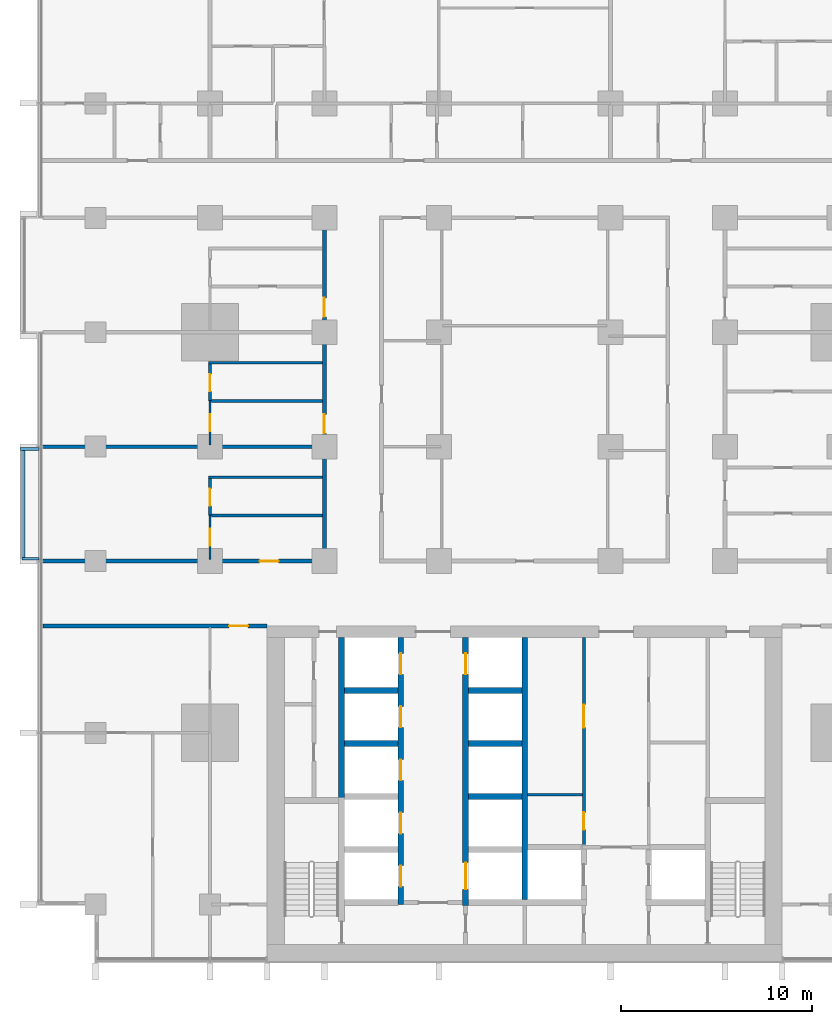
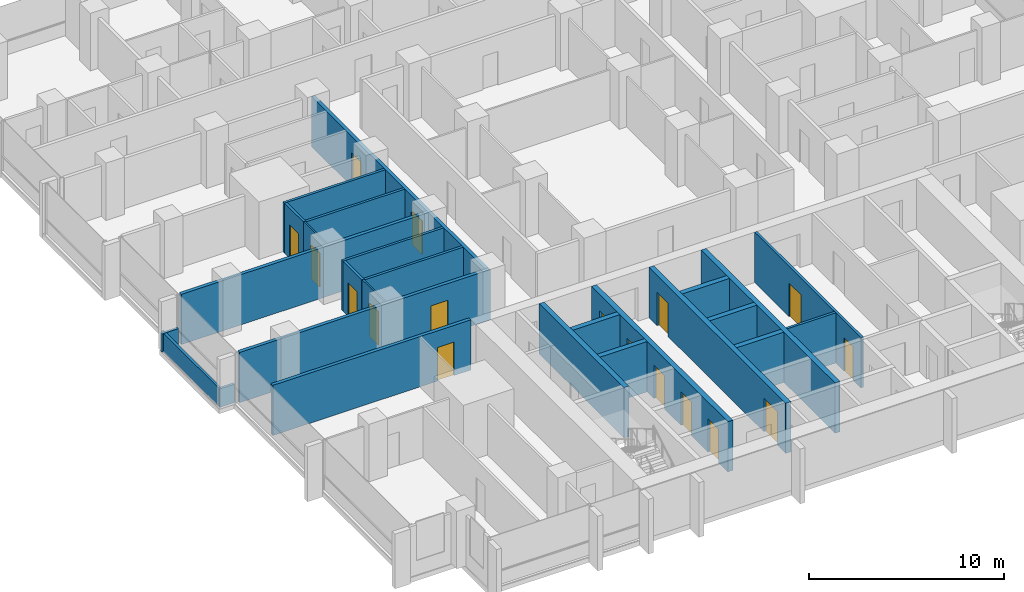
# One storey, part 8 of 18: 26 walls, 17 doors, 17 openings.
"""IFC4 building model written with IfcOpenShell, lengths in metres."""

from ifc_helpers import new_model, si_unit, direction, frame, frame_2d, origin, place, context, subcontext, project, spatial, rectangle, extrude, material, layer, layer_set, type_object, element, fill, save


model = new_model("IFC4")

# Units and contexts
model_context = context("Model", 3, precision=1e-05, world=origin(), true_north=direction((0.0, 1.0)))
body_context = subcontext(model_context, "Body", "Model", "MODEL_VIEW")
ifc_project = project(units=[si_unit("LENGTHUNIT", "METRE"), si_unit("AREAUNIT", "SQUARE_METRE"), si_unit("VOLUMEUNIT", "CUBIC_METRE"), si_unit("PLANEANGLEUNIT", "RADIAN"), si_unit("MASSUNIT", "GRAM", prefix="KILO")], contexts=[model_context])

# Site, building, storey
site_placement = place(None, origin())
site = spatial("IfcSite", under=ifc_project, at=site_placement, CompositionType="ELEMENT")
building_placement = place(site_placement, origin())
building = spatial("IfcBuilding", under=site, at=building_placement, Name="Finial Court Residences", CompositionType="ELEMENT")
storey_placement = place(building_placement, frame((0.0, 0.0, 72.10009765625)))
storey = spatial("IfcBuildingStorey", under=building, at=storey_placement, Name="L17", CompositionType="ELEMENT", Elevation=72.10009765625)

# Walls
ifc_material_1 = material(Name="Gypsum board")
ifc_layer_1 = layer(ifc_material_1, 0.02490234375)
ifc_material_2 = material(Name="Acoustic mineral wool in double frame")
ifc_layer_2 = layer(ifc_material_2, 0.14990234375)
ifc_layer_3 = layer(ifc_material_1, 0.02490234375)
ifc_layer_set_1 = layer_set([ifc_layer_1, ifc_layer_2, ifc_layer_3], Name="Acoustic party wall 200, 1 hour")
wall_type_1 = type_object("IfcWallType", Name="Acoustic party wall 200, 1 hour", PredefinedType="PARTITIONING", material=ifc_layer_set_1)
wall_1_placement = place(storey_placement, frame((-25.25, 1.5, 0.0), z_axis=(0.0, 0.0, 1.0), x_axis=(1.0, 0.0, 0.0)))
element("IfcWall", 1, at=wall_1_placement, inside=storey, type_object=wall_type_1, Name="Partition L17-019", PredefinedType="PARTITIONING", context=body_context, shape_type="SweptSolid", body=[
    extrude(rectangle(XDim=14.64990234375, YDim=0.199951171875, at=frame_2d((7.324951171875, 0.0))), origin(), (0.0, 0.0, 1.0), 3.14990234375),
])
ifc_material_3 = material(Name="Fire-rated gypsum board partition")
ifc_layer_4 = layer(ifc_material_3, 0.14990234375)
ifc_layer_set_2 = layer_set([ifc_layer_4], Name="Core room partition 150 EI 60")
wall_type_2 = type_object("IfcWallType", Name="Core room partition 150 EI 60", PredefinedType="PARTITIONING", material=ifc_layer_set_2)
wall_2_placement = place(storey_placement, frame((0.14990234375, -16.75, 0.0), z_axis=(0.0, 0.0, 1.0), x_axis=(1.0, 0.0, 0.0)))
element("IfcWall", 2, at=wall_2_placement, inside=storey, type_object=wall_type_2, Name="Core partition L17-14", PredefinedType="PARTITIONING", context=body_context, shape_type="SweptSolid", body=[
    extrude(rectangle(XDim=2.875, YDim=0.14990234375, at=frame_2d((1.4375, 0.0))), origin(), (0.0, 0.0, 1.0), 3.14990234375),
])

# Wall, openings, doors
wall_3_placement = place(storey_placement, frame((3.10009765625, -19.39990234375, 0.0), z_axis=(0.0, 0.0, 1.0), x_axis=(0.0, 1.0, 0.0)))
wall_3 = element("IfcWall", 3, at=wall_3_placement, inside=storey, type_object=wall_type_2, Name="Core partition L17-32", PredefinedType="PARTITIONING", context=body_context, shape_type="SweptSolid", body=[
    extrude(rectangle(XDim=10.89990234375, YDim=0.14990234375, at=frame_2d((5.449951171875, 0.0))), origin(), (0.0, 0.0, 1.0), 3.14990234375),
])
opening_1_placement = place(wall_3_placement, frame((0.824951171875, 0.0, 0.0)))
opening_1 = element("IfcOpeningElement", 4, at=opening_1_placement, cuts=wall_3, Name="Opening L17-C12", PredefinedType="OPENING", context=body_context, shape_type="SweptSolid", body=[
    extrude(rectangle(XDim=0.89990234375, YDim=2.10009765625, at=frame_2d((0.449951171875, 1.050048828125))), frame((0.0, 0.0849609375, 0.0), z_axis=(0.0, -1.0, 0.0), x_axis=(1.0, 0.0, 0.0)), (0.0, 0.0, 1.0), 0.169921875),
])
opening_2_placement = place(wall_3_placement, frame((6.175048828125, 0.0, 0.0)))
opening_2 = element("IfcOpeningElement", 5, at=opening_2_placement, cuts=wall_3, Name="Opening L17-C13", PredefinedType="OPENING", context=body_context, shape_type="SweptSolid", body=[
    extrude(rectangle(XDim=1.199951171875, YDim=2.10009765625, at=frame_2d((0.60009765625, 1.050048828125))), frame((0.0, 0.0849609375, 0.0), z_axis=(0.0, -1.0, 0.0), x_axis=(1.0, 0.0, 0.0)), (0.0, 0.0, 1.0), 0.169921875),
])
ifc_material_4 = material(Name="Steel fire door", Category="steel")
door_type_1 = type_object("IfcDoorType", Name="Core room door 1200 x 2100 EI 60", OperationType="NOTDEFINED", PredefinedType="DOOR", material=ifc_material_4)
door_1_placement = place(opening_2_placement, origin())
door_1 = element("IfcDoor", 6, at=door_1_placement, inside=storey, type_object=door_type_1, Name="Core room door L17-C13", OperationType="SINGLE_SWING_LEFT", OverallHeight=2.10009765625, OverallWidth=1.199951171875, PredefinedType="DOOR", context=body_context, shape_type="SweptSolid", body=[
    extrude(rectangle(XDim=1.199951171875, YDim=2.10009765625, at=frame_2d((0.60009765625, 1.050048828125))), frame((0.0, 0.02490234375, 0.0), z_axis=(0.0, -1.0, 0.0), x_axis=(1.0, 0.0, 0.0)), (0.0, 0.0, 1.0), 0.050048828125),
])
fill(opening_2, door_1)
door_type_2 = type_object("IfcDoorType", Name="Core room door 900 x 2100 EI 60", OperationType="NOTDEFINED", PredefinedType="DOOR", material=ifc_material_4)
door_2_placement = place(opening_1_placement, origin())
door_2 = element("IfcDoor", 7, at=door_2_placement, inside=storey, type_object=door_type_2, Name="Core room door L17-C12", OperationType="SINGLE_SWING_LEFT", OverallHeight=2.10009765625, OverallWidth=0.89990234375, PredefinedType="DOOR", context=body_context, shape_type="SweptSolid", body=[
    extrude(rectangle(XDim=0.89990234375, YDim=2.10009765625, at=frame_2d((0.449951171875, 1.050048828125))), frame((0.0, 0.02490234375, 0.0), z_axis=(0.0, -1.0, 0.0), x_axis=(1.0, 0.0, 0.0)), (0.0, 0.0, 1.0), 0.050048828125),
])
fill(opening_1, door_2)

# Wall, opening, door
ifc_layer_5 = layer(ifc_material_1, 0.02490234375)
ifc_layer_6 = layer(ifc_material_2, 0.14990234375)
ifc_layer_7 = layer(ifc_material_1, 0.02490234375)
ifc_layer_set_3 = layer_set([ifc_layer_5, ifc_layer_6, ifc_layer_7], Name="Corridor wall 200, 1 hour")
wall_type_3 = type_object("IfcWallType", Name="Corridor wall 200, 1 hour", PredefinedType="PARTITIONING", material=ifc_layer_set_3)
wall_4_placement = place(storey_placement, frame((-25.25, -7.89990234375, 0.0), z_axis=(0.0, 0.0, 1.0), x_axis=(1.0, 0.0, 0.0)))
wall_4 = element("IfcWall", 8, at=wall_4_placement, inside=storey, type_object=wall_type_3, Name="Partition L17-007", PredefinedType="PARTITIONING", context=body_context, shape_type="SweptSolid", body=[
    extrude(rectangle(XDim=11.75, YDim=0.199951171875, at=frame_2d((5.875, 0.0))), origin(), (0.0, 0.0, 1.0), 3.14990234375),
])
opening_3_placement = place(wall_4_placement, frame((9.75, 0.0, 0.0)))
opening_3 = element("IfcOpeningElement", 9, at=opening_3_placement, cuts=wall_4, Name="Opening L17-D005", PredefinedType="OPENING", context=body_context, shape_type="SweptSolid", body=[
    extrude(rectangle(XDim=1.0, YDim=2.10009765625, at=frame_2d((0.5, 1.050048828125))), frame((0.0, 0.10986328125, 0.0), z_axis=(0.0, -1.0, 0.0), x_axis=(1.0, 0.0, 0.0)), (0.0, 0.0, 1.0), 0.219970703125),
])
ifc_material_5 = material(Name="Timber door leaf in hollow metal frame", Category="wood")
door_type_3 = type_object("IfcDoorType", Name="Fire door set 1000 x 2100, 30 minutes", OperationType="SINGLE_SWING_LEFT", PredefinedType="DOOR", material=ifc_material_5)
door_3_placement = place(opening_3_placement, origin())
door_3 = element("IfcDoor", 10, at=door_3_placement, inside=storey, type_object=door_type_3, Name="Door L17-D005", OperationType="SINGLE_SWING_RIGHT", OverallHeight=2.10009765625, OverallWidth=1.0, PredefinedType="DOOR", context=body_context, shape_type="SweptSolid", body=[
    extrude(rectangle(XDim=1.0, YDim=2.10009765625, at=frame_2d((0.5, 1.050048828125))), frame((0.0, 0.02490234375, 0.0), z_axis=(0.0, -1.0, 0.0), x_axis=(1.0, 0.0, 0.0)), (0.0, 0.0, 1.0), 0.050048828125),
])
fill(opening_3, door_3)

wall_5_placement = place(storey_placement, frame((-25.25, -4.5, 0.0), z_axis=(0.0, 0.0, 1.0), x_axis=(1.0, 0.0, 0.0)))
wall_5 = element("IfcWall", 11, at=wall_5_placement, inside=storey, type_object=wall_type_3, Name="Partition L17-009", PredefinedType="PARTITIONING", context=body_context, shape_type="SweptSolid", body=[
    extrude(rectangle(XDim=14.85009765625, YDim=0.199951171875, at=frame_2d((7.425048828125, 0.0))), origin(), (0.0, 0.0, 1.0), 3.14990234375),
])
opening_4_placement = place(wall_5_placement, frame((11.35009765625, 0.0, 0.0)))
opening_4 = element("IfcOpeningElement", 12, at=opening_4_placement, cuts=wall_5, Name="Opening L17-D007", PredefinedType="OPENING", context=body_context, shape_type="SweptSolid", body=[
    extrude(rectangle(XDim=1.0, YDim=2.10009765625, at=frame_2d((0.5, 1.050048828125))), frame((0.0, 0.10986328125, 0.0), z_axis=(0.0, -1.0, 0.0), x_axis=(1.0, 0.0, 0.0)), (0.0, 0.0, 1.0), 0.219970703125),
])
door_4_placement = place(opening_4_placement, origin())
door_4 = element("IfcDoor", 13, at=door_4_placement, inside=storey, type_object=door_type_3, Name="Door L17-D007", OperationType="SINGLE_SWING_LEFT", OverallHeight=2.10009765625, OverallWidth=1.0, PredefinedType="DOOR", context=body_context, shape_type="SweptSolid", body=[
    extrude(rectangle(XDim=1.0, YDim=2.10009765625, at=frame_2d((0.5, 1.050048828125))), frame((0.0, 0.02490234375, 0.0), z_axis=(0.0, -1.0, 0.0), x_axis=(1.0, 0.0, 0.0)), (0.0, 0.0, 1.0), 0.050048828125),
])
fill(opening_4, door_4)

# Wall, openings, doors
wall_6_placement = place(storey_placement, frame((-10.5, -4.39990234375, 0.0), z_axis=(0.0, 0.0, 1.0), x_axis=(0.0, 1.0, 0.0)))
wall_6 = element("IfcWall", 14, at=wall_6_placement, inside=storey, type_object=wall_type_3, Name="Partition L17-069", PredefinedType="PARTITIONING", context=body_context, shape_type="SweptSolid", body=[
    extrude(rectangle(XDim=17.7998046875, YDim=0.199951171875, at=frame_2d((8.89990234375, 0.0))), origin(), (0.0, 0.0, 1.0), 3.14990234375),
])
opening_5_placement = place(wall_6_placement, frame((6.60009765625, 0.0, 0.0)))
opening_5 = element("IfcOpeningElement", 15, at=opening_5_placement, cuts=wall_6, Name="Opening L17-D041", PredefinedType="OPENING", context=body_context, shape_type="SweptSolid", body=[
    extrude(rectangle(XDim=1.0, YDim=2.10009765625, at=frame_2d((0.5, 1.050048828125))), frame((0.0, 0.10986328125, 0.0), z_axis=(0.0, -1.0, 0.0), x_axis=(1.0, 0.0, 0.0)), (0.0, 0.0, 1.0), 0.219970703125),
])
opening_6_placement = place(wall_6_placement, frame((12.699951171875, 0.0, 0.0)))
opening_6 = element("IfcOpeningElement", 16, at=opening_6_placement, cuts=wall_6, Name="Opening L17-D042", PredefinedType="OPENING", context=body_context, shape_type="SweptSolid", body=[
    extrude(rectangle(XDim=1.0, YDim=2.10009765625, at=frame_2d((0.5, 1.050048828125))), frame((0.0, 0.10986328125, 0.0), z_axis=(0.0, -1.0, 0.0), x_axis=(1.0, 0.0, 0.0)), (0.0, 0.0, 1.0), 0.219970703125),
])
door_5_placement = place(opening_5_placement, origin())
door_5 = element("IfcDoor", 17, at=door_5_placement, inside=storey, type_object=door_type_3, Name="Door L17-D041", OperationType="SINGLE_SWING_RIGHT", OverallHeight=2.10009765625, OverallWidth=1.0, PredefinedType="DOOR", context=body_context, shape_type="SweptSolid", body=[
    extrude(rectangle(XDim=1.0, YDim=2.10009765625, at=frame_2d((0.5, 1.050048828125))), frame((0.0, 0.02490234375, 0.0), z_axis=(0.0, -1.0, 0.0), x_axis=(1.0, 0.0, 0.0)), (0.0, 0.0, 1.0), 0.050048828125),
])
fill(opening_5, door_5)
door_6_placement = place(opening_6_placement, origin())
door_6 = element("IfcDoor", 18, at=door_6_placement, inside=storey, type_object=door_type_3, Name="Door L17-D042", OperationType="SINGLE_SWING_LEFT", OverallHeight=2.10009765625, OverallWidth=1.0, PredefinedType="DOOR", context=body_context, shape_type="SweptSolid", body=[
    extrude(rectangle(XDim=1.0, YDim=2.10009765625, at=frame_2d((0.5, 1.050048828125))), frame((0.0, 0.02490234375, 0.0), z_axis=(0.0, -1.0, 0.0), x_axis=(1.0, 0.0, 0.0)), (0.0, 0.0, 1.0), 0.050048828125),
])
fill(opening_6, door_6)

# Wall, opening, door
ifc_layer_8 = layer(ifc_material_1, 0.012451171875)
ifc_material_6 = material(Name="Mineral wool in light-gauge frame")
ifc_layer_9 = layer(ifc_material_6, 0.074951171875)
ifc_layer_10 = layer(ifc_material_1, 0.012451171875)
ifc_layer_set_4 = layer_set([ifc_layer_8, ifc_layer_9, ifc_layer_10], Name="Gypsum board partition 100")
wall_type_4 = type_object("IfcWallType", Name="Gypsum board partition 100", PredefinedType="PARTITIONING", material=ifc_layer_set_4)
wall_7_placement = place(storey_placement, frame((-16.5, -4.39990234375, 0.0), z_axis=(0.0, 0.0, 1.0), x_axis=(0.0, 1.0, 0.0)))
wall_7 = element("IfcWall", 19, at=wall_7_placement, inside=storey, type_object=wall_type_4, Name="Partition L17-058", PredefinedType="PARTITIONING", context=body_context, shape_type="SweptSolid", body=[
    extrude(rectangle(XDim=2.2998046875, YDim=0.10009765625, at=frame_2d((1.14990234375, 0.0))), origin(), (0.0, 0.0, 1.0), 3.14990234375),
])
opening_7_placement = place(wall_7_placement, frame((0.699951171875, 0.0, 0.0)))
opening_7 = element("IfcOpeningElement", 20, at=opening_7_placement, cuts=wall_7, Name="Opening L17-D035", PredefinedType="OPENING", context=body_context, shape_type="SweptSolid", body=[
    extrude(rectangle(XDim=0.89990234375, YDim=2.10009765625, at=frame_2d((0.449951171875, 1.050048828125))), frame((0.0, 0.06005859375, 0.0), z_axis=(0.0, -1.0, 0.0), x_axis=(1.0, 0.0, 0.0)), (0.0, 0.0, 1.0), 0.1201171875),
])
ifc_material_7 = material(Name="Timber door leaf in timber frame", Category="wood")
door_type_4 = type_object("IfcDoorType", Name="Door set 900 x 2100", OperationType="SINGLE_SWING_LEFT", PredefinedType="DOOR", material=ifc_material_7)
door_7_placement = place(opening_7_placement, origin())
door_7 = element("IfcDoor", 21, at=door_7_placement, inside=storey, type_object=door_type_4, Name="Door L17-D035", OperationType="SINGLE_SWING_LEFT", OverallHeight=2.10009765625, OverallWidth=0.89990234375, PredefinedType="DOOR", context=body_context, shape_type="SweptSolid", body=[
    extrude(rectangle(XDim=0.89990234375, YDim=2.10009765625, at=frame_2d((0.449951171875, 1.050048828125))), frame((0.0, 0.02490234375, 0.0), z_axis=(0.0, -1.0, 0.0), x_axis=(1.0, 0.0, 0.0)), (0.0, 0.0, 1.0), 0.050048828125),
])
fill(opening_7, door_7)

wall_8_placement = place(storey_placement, frame((-16.5, 1.60009765625, 0.0), z_axis=(0.0, 0.0, 1.0), x_axis=(0.0, 1.0, 0.0)))
wall_8 = element("IfcWall", 22, at=wall_8_placement, inside=storey, type_object=wall_type_4, Name="Partition L17-059", PredefinedType="PARTITIONING", context=body_context, shape_type="SweptSolid", body=[
    extrude(rectangle(XDim=2.2998046875, YDim=0.10009765625, at=frame_2d((1.14990234375, 0.0))), origin(), (0.0, 0.0, 1.0), 3.14990234375),
])
opening_8_placement = place(wall_8_placement, frame((0.699951171875, 0.0, 0.0)))
opening_8 = element("IfcOpeningElement", 23, at=opening_8_placement, cuts=wall_8, Name="Opening L17-D036", PredefinedType="OPENING", context=body_context, shape_type="SweptSolid", body=[
    extrude(rectangle(XDim=0.89990234375, YDim=2.10009765625, at=frame_2d((0.449951171875, 1.050048828125))), frame((0.0, 0.06005859375, 0.0), z_axis=(0.0, -1.0, 0.0), x_axis=(1.0, 0.0, 0.0)), (0.0, 0.0, 1.0), 0.1201171875),
])
door_8_placement = place(opening_8_placement, origin())
door_8 = element("IfcDoor", 24, at=door_8_placement, inside=storey, type_object=door_type_4, Name="Door L17-D036", OperationType="SINGLE_SWING_RIGHT", OverallHeight=2.10009765625, OverallWidth=0.89990234375, PredefinedType="DOOR", context=body_context, shape_type="SweptSolid", body=[
    extrude(rectangle(XDim=0.89990234375, YDim=2.10009765625, at=frame_2d((0.449951171875, 1.050048828125))), frame((0.0, 0.02490234375, 0.0), z_axis=(0.0, -1.0, 0.0), x_axis=(1.0, 0.0, 0.0)), (0.0, 0.0, 1.0), 0.050048828125),
])
fill(opening_8, door_8)

# Walls
ifc_material_8 = material(Name="Moisture-resistant gypsum board")
ifc_layer_11 = layer(ifc_material_8, 0.012451171875)
ifc_layer_12 = layer(ifc_material_6, 0.125)
ifc_layer_13 = layer(ifc_material_8, 0.012451171875)
ifc_layer_set_5 = layer_set([ifc_layer_11, ifc_layer_12, ifc_layer_13], Name="Gypsum board wet-area partition 150")
wall_type_5 = type_object("IfcWallType", Name="Gypsum board wet-area partition 150", PredefinedType="PARTITIONING", material=ifc_layer_set_5)
wall_9_placement = place(storey_placement, frame((-16.425048828125, -2.10009765625, 0.0), z_axis=(0.0, 0.0, 1.0), x_axis=(1.0, 0.0, 0.0)))
element("IfcWall", 25, at=wall_9_placement, inside=storey, type_object=wall_type_5, Name="Partition L17-012", PredefinedType="PARTITIONING", context=body_context, shape_type="SweptSolid", body=[
    extrude(rectangle(XDim=5.824951171875, YDim=0.14990234375, at=frame_2d((2.91259765625, 0.0))), origin(), (0.0, 0.0, 1.0), 3.14990234375),
])
wall_10_placement = place(storey_placement, frame((-16.574951171875, -0.10009765625, 0.0), z_axis=(0.0, 0.0, 1.0), x_axis=(1.0, 0.0, 0.0)))
element("IfcWall", 26, at=wall_10_placement, inside=storey, type_object=wall_type_5, Name="Partition L17-014", PredefinedType="PARTITIONING", context=body_context, shape_type="SweptSolid", body=[
    extrude(rectangle(XDim=5.974853515625, YDim=0.14990234375, at=frame_2d((2.9873046875, 0.0))), origin(), (0.0, 0.0, 1.0), 3.14990234375),
])
wall_11_placement = place(storey_placement, frame((-16.425048828125, 3.89990234375, 0.0), z_axis=(0.0, 0.0, 1.0), x_axis=(1.0, 0.0, 0.0)))
element("IfcWall", 27, at=wall_11_placement, inside=storey, type_object=wall_type_5, Name="Partition L17-020", PredefinedType="PARTITIONING", context=body_context, shape_type="SweptSolid", body=[
    extrude(rectangle(XDim=5.824951171875, YDim=0.14990234375, at=frame_2d((2.91259765625, 0.0))), origin(), (0.0, 0.0, 1.0), 3.14990234375),
])
wall_12_placement = place(storey_placement, frame((-16.574951171875, 5.89990234375, 0.0), z_axis=(0.0, 0.0, 1.0), x_axis=(1.0, 0.0, 0.0)))
element("IfcWall", 28, at=wall_12_placement, inside=storey, type_object=wall_type_5, Name="Partition L17-022", PredefinedType="PARTITIONING", context=body_context, shape_type="SweptSolid", body=[
    extrude(rectangle(XDim=5.974853515625, YDim=0.14990234375, at=frame_2d((2.9873046875, 0.0))), origin(), (0.0, 0.0, 1.0), 3.14990234375),
])

# Wall, opening, door
wall_13_placement = place(storey_placement, frame((-16.5, -2.10009765625, 0.0), z_axis=(0.0, 0.0, 1.0), x_axis=(0.0, 1.0, 0.0)))
wall_13 = element("IfcWall", 29, at=wall_13_placement, inside=storey, type_object=wall_type_5, Name="Partition L17-064", PredefinedType="PARTITIONING", context=body_context, shape_type="SweptSolid", body=[
    extrude(rectangle(XDim=1.925048828125, YDim=0.14990234375, at=frame_2d((0.96240234375, 0.0))), origin(), (0.0, 0.0, 1.0), 3.14990234375),
])
opening_9_placement = place(wall_13_placement, frame((0.5, 0.0, 0.0)))
opening_9 = element("IfcOpeningElement", 30, at=opening_9_placement, cuts=wall_13, Name="Opening L17-D037", PredefinedType="OPENING", context=body_context, shape_type="SweptSolid", body=[
    extrude(rectangle(XDim=0.89990234375, YDim=2.10009765625, at=frame_2d((0.449951171875, 1.050048828125))), frame((0.0, 0.0849609375, 0.0), z_axis=(0.0, -1.0, 0.0), x_axis=(1.0, 0.0, 0.0)), (0.0, 0.0, 1.0), 0.169921875),
])
door_9_placement = place(opening_9_placement, origin())
door_9 = element("IfcDoor", 31, at=door_9_placement, inside=storey, type_object=door_type_4, Name="Door L17-D037", OperationType="SINGLE_SWING_RIGHT", OverallHeight=2.10009765625, OverallWidth=0.89990234375, PredefinedType="DOOR", context=body_context, shape_type="SweptSolid", body=[
    extrude(rectangle(XDim=0.89990234375, YDim=2.10009765625, at=frame_2d((0.449951171875, 1.050048828125))), frame((0.0, 0.02490234375, 0.0), z_axis=(0.0, -1.0, 0.0), x_axis=(1.0, 0.0, 0.0)), (0.0, 0.0, 1.0), 0.050048828125),
])
fill(opening_9, door_9)

wall_14_placement = place(storey_placement, frame((-16.5, 3.89990234375, 0.0), z_axis=(0.0, 0.0, 1.0), x_axis=(0.0, 1.0, 0.0)))
wall_14 = element("IfcWall", 32, at=wall_14_placement, inside=storey, type_object=wall_type_5, Name="Partition L17-065", PredefinedType="PARTITIONING", context=body_context, shape_type="SweptSolid", body=[
    extrude(rectangle(XDim=1.925048828125, YDim=0.14990234375, at=frame_2d((0.96240234375, 0.0))), origin(), (0.0, 0.0, 1.0), 3.14990234375),
])
opening_10_placement = place(wall_14_placement, frame((0.5, 0.0, 0.0)))
opening_10 = element("IfcOpeningElement", 33, at=opening_10_placement, cuts=wall_14, Name="Opening L17-D038", PredefinedType="OPENING", context=body_context, shape_type="SweptSolid", body=[
    extrude(rectangle(XDim=0.89990234375, YDim=2.10009765625, at=frame_2d((0.449951171875, 1.050048828125))), frame((0.0, 0.0849609375, 0.0), z_axis=(0.0, -1.0, 0.0), x_axis=(1.0, 0.0, 0.0)), (0.0, 0.0, 1.0), 0.169921875),
])
door_10_placement = place(opening_10_placement, origin())
door_10 = element("IfcDoor", 34, at=door_10_placement, inside=storey, type_object=door_type_4, Name="Door L17-D038", OperationType="SINGLE_SWING_RIGHT", OverallHeight=2.10009765625, OverallWidth=0.89990234375, PredefinedType="DOOR", context=body_context, shape_type="SweptSolid", body=[
    extrude(rectangle(XDim=0.89990234375, YDim=2.10009765625, at=frame_2d((0.449951171875, 1.050048828125))), frame((0.0, 0.02490234375, 0.0), z_axis=(0.0, -1.0, 0.0), x_axis=(1.0, 0.0, 0.0)), (0.0, 0.0, 1.0), 0.050048828125),
])
fill(opening_10, door_10)

# Walls
ifc_material_9 = material(Name="Concrete C35/45", Category="concrete")
ifc_layer_14 = layer(ifc_material_9, 0.14990234375)
ifc_layer_set_6 = layer_set([ifc_layer_14], Name="Ledge parapet, Concrete C35/45 150")
wall_type_6 = type_object("IfcWallType", Name="Ledge parapet, Concrete C35/45 150", PredefinedType="PARAPET", material=ifc_layer_set_6)
wall_15_placement = place(storey_placement, frame((-26.449951171875, 1.375, 0.0), z_axis=(0.0, 0.0, 1.0), x_axis=(1.0, 0.0, 0.0)))
element("IfcWall", 35, at=wall_15_placement, inside=storey, type_object=wall_type_6, Name="E-L17-LED2-P1", PredefinedType="PARAPET", context=body_context, shape_type="SweptSolid", body=[
    extrude(rectangle(XDim=0.989990234375, YDim=0.14990234375, at=frame_2d((0.4951171875, 0.0))), origin(), (0.0, 0.0, 1.0), 1.14990234375),
])
wall_16_placement = place(storey_placement, frame((-25.4599609375, -4.375, 0.0), z_axis=(0.0, 0.0, 1.0), x_axis=(-1.0, 0.0, 0.0)))
element("IfcWall", 36, at=wall_16_placement, inside=storey, type_object=wall_type_6, Name="E-L17-LED2-P2", PredefinedType="PARAPET", context=body_context, shape_type="SweptSolid", body=[
    extrude(rectangle(XDim=0.89013671875, YDim=0.14990234375, at=frame_2d((0.445068359375, 0.0))), origin(), (0.0, 0.0, 1.0), 1.14990234375),
])
wall_17_placement = place(storey_placement, frame((-26.27490234375, -4.300048828125, 0.0), z_axis=(0.0, 0.0, 1.0), x_axis=(0.0, 1.0, 0.0)))
element("IfcWall", 37, at=wall_17_placement, inside=storey, type_object=wall_type_6, Name="E-L17-LED2-P3", PredefinedType="PARAPET", context=body_context, shape_type="SweptSolid", body=[
    extrude(rectangle(XDim=5.85009765625, YDim=0.14990234375, at=frame_2d((2.925048828125, 0.0))), origin(), (0.0, 0.0, 1.0), 1.14990234375),
])
ifc_material_10 = material(Name="Concrete C80/95", Category="concrete")
ifc_layer_15 = layer(ifc_material_10, 0.300048828125)
ifc_layer_set_7 = layer_set([ifc_layer_15], Name="Lift shaft and stair wall 300 Concrete C80/95")
wall_type_7 = type_object("IfcWallType", Name="Lift shaft and stair wall 300 Concrete C80/95", PredefinedType="SHEAR", material=ifc_layer_set_7)
for number, where, z_axis, x_axis, name in (
    (38, (-2.949951171875, -16.840087890625, 0.0), (0.0, 0.0, 1.0), (1.0, 0.0, 0.0), "Core wall L17-13"),
    (39, (-9.449951171875, -14.06005859375, 0.0), (0.0, 0.0, 1.0), (1.0, 0.0, 0.0), "Core wall L17-15"),
    (40, (-2.949951171875, -14.06005859375, 0.0), (0.0, 0.0, 1.0), (1.0, 0.0, 0.0), "Core wall L17-16"),
    (41, (-9.449951171875, -11.280029296875, 0.0), (0.0, 0.0, 1.0), (1.0, 0.0, 0.0), "Core wall L17-19"),
    (42, (-2.949951171875, -11.280029296875, 0.0), (0.0, 0.0, 1.0), (1.0, 0.0, 0.0), "Core wall L17-20"),
):
    element("IfcWall", number, at=place(storey_placement, frame(where, z_axis=z_axis, x_axis=x_axis)), inside=storey, type_object=wall_type_7, Name=name, PredefinedType="SHEAR", context=body_context, shape_type="SweptSolid", body=[
        extrude(rectangle(XDim=2.800048828125, YDim=0.300048828125, at=frame_2d((1.39990234375, 0.0))), origin(), (0.0, 0.0, 1.0), 3.14990234375),
    ])
wall_18_placement = place(storey_placement, frame((-9.60009765625, -17.199951171875, 0.0), z_axis=(0.0, 0.0, 1.0), x_axis=(0.0, 1.0, 0.0)))
element("IfcWall", 43, at=wall_18_placement, inside=storey, type_object=wall_type_7, Name="Core wall L17-24", PredefinedType="SHEAR", context=body_context, shape_type="SweptSolid", body=[
    extrude(rectangle(XDim=8.699951171875, YDim=0.300048828125, at=frame_2d((4.35009765625, 0.0))), origin(), (0.0, 0.0, 1.0), 3.14990234375),
])

# Wall, openings, doors
wall_19_placement = place(storey_placement, frame((-6.5, -22.5, 0.0), z_axis=(0.0, 0.0, 1.0), x_axis=(0.0, 1.0, 0.0)))
wall_19 = element("IfcWall", 44, at=wall_19_placement, inside=storey, type_object=wall_type_7, Name="Core wall L17-25", PredefinedType="SHEAR", context=body_context, shape_type="SweptSolid", body=[
    extrude(rectangle(XDim=14.0, YDim=0.300048828125, at=frame_2d((7.0, 0.0))), origin(), (0.0, 0.0, 1.0), 3.14990234375),
])
opening_11_placement = place(wall_19_placement, frame((0.93994140625, 0.0, 0.0)))
opening_11 = element("IfcOpeningElement", 45, at=opening_11_placement, cuts=wall_19, Name="Opening L17-LD03", PredefinedType="OPENING", context=body_context, shape_type="SweptSolid", body=[
    extrude(rectangle(XDim=1.10009765625, YDim=2.10009765625, at=frame_2d((0.550048828125, 1.050048828125))), frame((0.0, 0.159912109375, 0.0), z_axis=(0.0, -1.0, 0.0), x_axis=(1.0, 0.0, 0.0)), (0.0, 0.0, 1.0), 0.320068359375),
])
opening_12_placement = place(wall_19_placement, frame((3.719970703125, 0.0, 0.0)))
opening_12 = element("IfcOpeningElement", 46, at=opening_12_placement, cuts=wall_19, Name="Opening L17-LD04", PredefinedType="OPENING", context=body_context, shape_type="SweptSolid", body=[
    extrude(rectangle(XDim=1.10009765625, YDim=2.10009765625, at=frame_2d((0.550048828125, 1.050048828125))), frame((0.0, 0.159912109375, 0.0), z_axis=(0.0, -1.0, 0.0), x_axis=(1.0, 0.0, 0.0)), (0.0, 0.0, 1.0), 0.320068359375),
])
opening_13_placement = place(wall_19_placement, frame((6.5, 0.0, 0.0)))
opening_13 = element("IfcOpeningElement", 47, at=opening_13_placement, cuts=wall_19, Name="Opening L17-LD05", PredefinedType="OPENING", context=body_context, shape_type="SweptSolid", body=[
    extrude(rectangle(XDim=1.10009765625, YDim=2.10009765625, at=frame_2d((0.550048828125, 1.050048828125))), frame((0.0, 0.159912109375, 0.0), z_axis=(0.0, -1.0, 0.0), x_axis=(1.0, 0.0, 0.0)), (0.0, 0.0, 1.0), 0.320068359375),
])
opening_14_placement = place(wall_19_placement, frame((9.280029296875, 0.0, 0.0)))
opening_14 = element("IfcOpeningElement", 48, at=opening_14_placement, cuts=wall_19, Name="Opening L17-LD06", PredefinedType="OPENING", context=body_context, shape_type="SweptSolid", body=[
    extrude(rectangle(XDim=1.10009765625, YDim=2.10009765625, at=frame_2d((0.550048828125, 1.050048828125))), frame((0.0, 0.159912109375, 0.0), z_axis=(0.0, -1.0, 0.0), x_axis=(1.0, 0.0, 0.0)), (0.0, 0.0, 1.0), 0.320068359375),
])
opening_15_placement = place(wall_19_placement, frame((12.06005859375, 0.0, 0.0)))
opening_15 = element("IfcOpeningElement", 49, at=opening_15_placement, cuts=wall_19, Name="Opening L17-LD07", PredefinedType="OPENING", context=body_context, shape_type="SweptSolid", body=[
    extrude(rectangle(XDim=1.10009765625, YDim=2.10009765625, at=frame_2d((0.550048828125, 1.050048828125))), frame((0.0, 0.159912109375, 0.0), z_axis=(0.0, -1.0, 0.0), x_axis=(1.0, 0.0, 0.0)), (0.0, 0.0, 1.0), 0.320068359375),
])
ifc_material_11 = material(Name="Stainless steel lift door", Category="steel")
door_type_5 = type_object("IfcDoorType", Name="Lift landing door 1100 x 2100 EI 90", OperationType="DOUBLE_DOOR_SLIDING", PredefinedType="DOOR", material=ifc_material_11)
door_11_placement = place(opening_11_placement, origin())
door_11 = element("IfcDoor", 50, at=door_11_placement, inside=storey, type_object=door_type_5, Name="Lift landing door LR1 L17", OperationType="DOUBLE_DOOR_SLIDING", OverallHeight=2.10009765625, OverallWidth=1.10009765625, PredefinedType="DOOR", context=body_context, shape_type="SweptSolid", body=[
    extrude(rectangle(XDim=1.10009765625, YDim=2.10009765625, at=frame_2d((0.550048828125, 1.050048828125))), frame((0.0, 0.02490234375, 0.0), z_axis=(0.0, -1.0, 0.0), x_axis=(1.0, 0.0, 0.0)), (0.0, 0.0, 1.0), 0.050048828125),
])
fill(opening_11, door_11)
door_12_placement = place(opening_12_placement, origin())
door_12 = element("IfcDoor", 51, at=door_12_placement, inside=storey, type_object=door_type_5, Name="Lift landing door LR2 L17", OperationType="DOUBLE_DOOR_SLIDING", OverallHeight=2.10009765625, OverallWidth=1.10009765625, PredefinedType="DOOR", context=body_context, shape_type="SweptSolid", body=[
    extrude(rectangle(XDim=1.10009765625, YDim=2.10009765625, at=frame_2d((0.550048828125, 1.050048828125))), frame((0.0, 0.02490234375, 0.0), z_axis=(0.0, -1.0, 0.0), x_axis=(1.0, 0.0, 0.0)), (0.0, 0.0, 1.0), 0.050048828125),
])
fill(opening_12, door_12)
door_13_placement = place(opening_13_placement, origin())
door_13 = element("IfcDoor", 52, at=door_13_placement, inside=storey, type_object=door_type_5, Name="Lift landing door LR3 L17", OperationType="DOUBLE_DOOR_SLIDING", OverallHeight=2.10009765625, OverallWidth=1.10009765625, PredefinedType="DOOR", context=body_context, shape_type="SweptSolid", body=[
    extrude(rectangle(XDim=1.10009765625, YDim=2.10009765625, at=frame_2d((0.550048828125, 1.050048828125))), frame((0.0, 0.02490234375, 0.0), z_axis=(0.0, -1.0, 0.0), x_axis=(1.0, 0.0, 0.0)), (0.0, 0.0, 1.0), 0.050048828125),
])
fill(opening_13, door_13)
door_14_placement = place(opening_14_placement, origin())
door_14 = element("IfcDoor", 53, at=door_14_placement, inside=storey, type_object=door_type_5, Name="Lift landing door LR4 L17", OperationType="DOUBLE_DOOR_SLIDING", OverallHeight=2.10009765625, OverallWidth=1.10009765625, PredefinedType="DOOR", context=body_context, shape_type="SweptSolid", body=[
    extrude(rectangle(XDim=1.10009765625, YDim=2.10009765625, at=frame_2d((0.550048828125, 1.050048828125))), frame((0.0, 0.02490234375, 0.0), z_axis=(0.0, -1.0, 0.0), x_axis=(1.0, 0.0, 0.0)), (0.0, 0.0, 1.0), 0.050048828125),
])
fill(opening_14, door_14)
door_15_placement = place(opening_15_placement, origin())
door_15 = element("IfcDoor", 54, at=door_15_placement, inside=storey, type_object=door_type_5, Name="Lift landing door LR5 L17", OperationType="DOUBLE_DOOR_SLIDING", OverallHeight=2.10009765625, OverallWidth=1.10009765625, PredefinedType="DOOR", context=body_context, shape_type="SweptSolid", body=[
    extrude(rectangle(XDim=1.10009765625, YDim=2.10009765625, at=frame_2d((0.550048828125, 1.050048828125))), frame((0.0, 0.02490234375, 0.0), z_axis=(0.0, -1.0, 0.0), x_axis=(1.0, 0.0, 0.0)), (0.0, 0.0, 1.0), 0.050048828125),
])
fill(opening_15, door_15)

wall_20_placement = place(storey_placement, frame((-3.10009765625, -22.550048828125, 0.0), z_axis=(0.0, 0.0, 1.0), x_axis=(0.0, 1.0, 0.0)))
wall_20 = element("IfcWall", 55, at=wall_20_placement, inside=storey, type_object=wall_type_7, Name="Core wall L17-27", PredefinedType="SHEAR", context=body_context, shape_type="SweptSolid", body=[
    extrude(rectangle(XDim=14.050048828125, YDim=0.300048828125, at=frame_2d((7.02490234375, 0.0))), origin(), (0.0, 0.0, 1.0), 3.14990234375),
])
opening_16_placement = place(wall_20_placement, frame((12.110107421875, 0.0, 0.0)))
opening_16 = element("IfcOpeningElement", 56, at=opening_16_placement, cuts=wall_20, Name="Opening L17-LD08", PredefinedType="OPENING", context=body_context, shape_type="SweptSolid", body=[
    extrude(rectangle(XDim=1.10009765625, YDim=2.10009765625, at=frame_2d((0.550048828125, 1.050048828125))), frame((0.0, 0.159912109375, 0.0), z_axis=(0.0, -1.0, 0.0), x_axis=(1.0, 0.0, 0.0)), (0.0, 0.0, 1.0), 0.320068359375),
])
opening_17_placement = place(wall_20_placement, frame((0.840087890625, 0.0, 0.0)))
opening_17 = element("IfcOpeningElement", 57, at=opening_17_placement, cuts=wall_20, Name="Opening L17-LD09", PredefinedType="OPENING", context=body_context, shape_type="SweptSolid", body=[
    extrude(rectangle(XDim=1.39990234375, YDim=2.10009765625, at=frame_2d((0.699951171875, 1.050048828125))), frame((0.0, 0.159912109375, 0.0), z_axis=(0.0, -1.0, 0.0), x_axis=(1.0, 0.0, 0.0)), (0.0, 0.0, 1.0), 0.320068359375),
])
door_16_placement = place(opening_16_placement, origin())
door_16 = element("IfcDoor", 58, at=door_16_placement, inside=storey, type_object=door_type_5, Name="Lift landing door LR6 L17", OperationType="DOUBLE_DOOR_SLIDING", OverallHeight=2.10009765625, OverallWidth=1.10009765625, PredefinedType="DOOR", context=body_context, shape_type="SweptSolid", body=[
    extrude(rectangle(XDim=1.10009765625, YDim=2.10009765625, at=frame_2d((0.550048828125, 1.050048828125))), frame((0.0, 0.02490234375, 0.0), z_axis=(0.0, -1.0, 0.0), x_axis=(1.0, 0.0, 0.0)), (0.0, 0.0, 1.0), 0.050048828125),
])
fill(opening_16, door_16)
door_type_6 = type_object("IfcDoorType", Name="Lift landing door 1400 x 2100 EI 90", OperationType="DOUBLE_DOOR_SLIDING", PredefinedType="DOOR", material=ifc_material_11)
door_17_placement = place(opening_17_placement, origin())
door_17 = element("IfcDoor", 59, at=door_17_placement, inside=storey, type_object=door_type_6, Name="Lift landing door SV1 L17", OperationType="DOUBLE_DOOR_SLIDING", OverallHeight=2.10009765625, OverallWidth=1.39990234375, PredefinedType="DOOR", context=body_context, shape_type="SweptSolid", body=[
    extrude(rectangle(XDim=1.39990234375, YDim=2.10009765625, at=frame_2d((0.699951171875, 1.050048828125))), frame((0.0, 0.02490234375, 0.0), z_axis=(0.0, -1.0, 0.0), x_axis=(1.0, 0.0, 0.0)), (0.0, 0.0, 1.0), 0.050048828125),
])
fill(opening_17, door_17)

# Wall
wall_21_placement = place(storey_placement, frame((0.0, -22.25, 0.0), z_axis=(0.0, 0.0, 1.0), x_axis=(0.0, 1.0, 0.0)))
element("IfcWall", 60, at=wall_21_placement, inside=storey, type_object=wall_type_7, Name="Core wall L17-29", PredefinedType="SHEAR", context=body_context, shape_type="SweptSolid", body=[
    extrude(rectangle(XDim=13.75, YDim=0.300048828125, at=frame_2d((6.875, 0.0))), origin(), (0.0, 0.0, 1.0), 3.14990234375),
])

save(model, "model.ifc")
